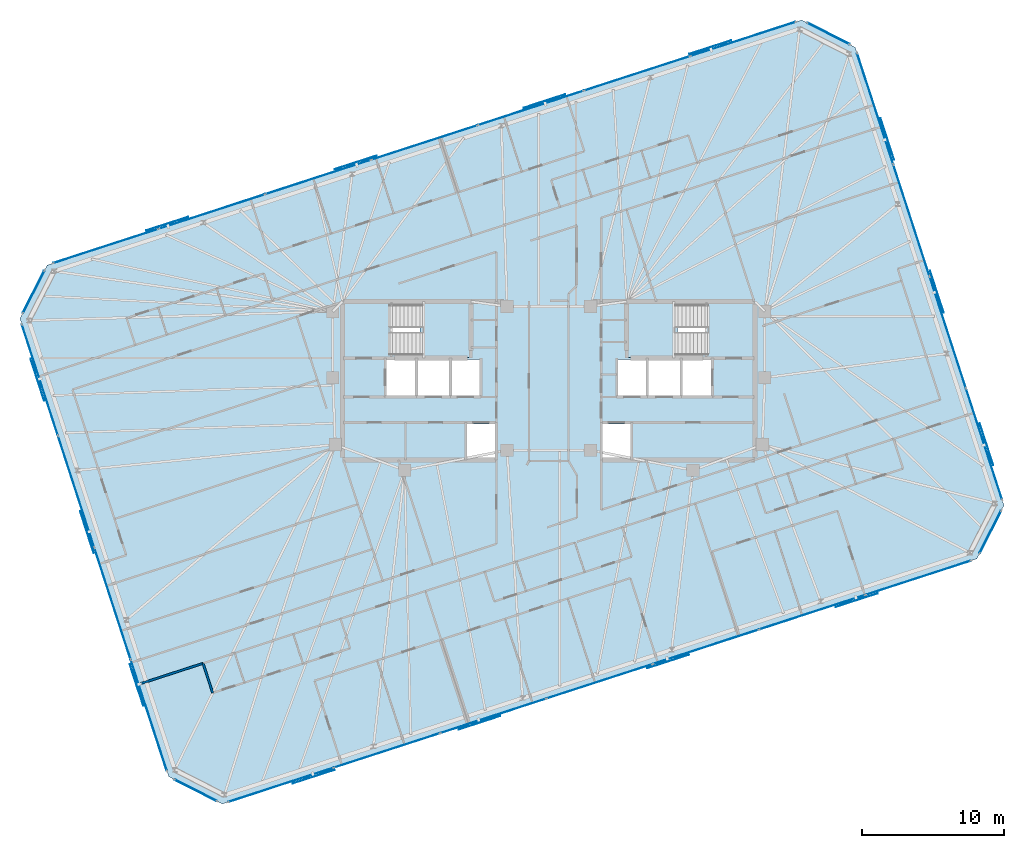
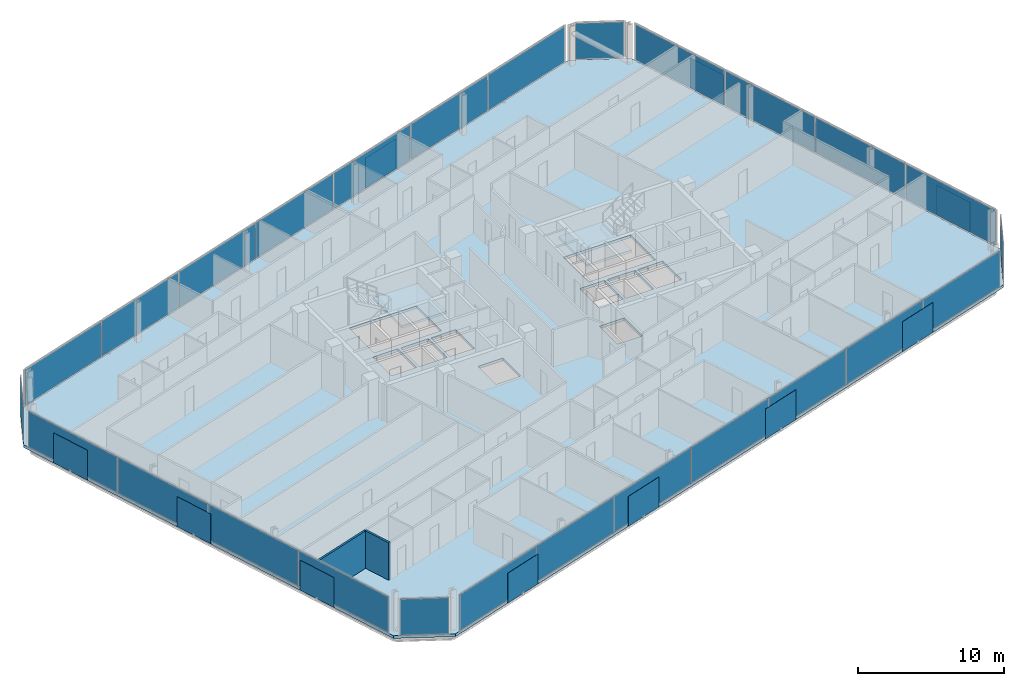
# One storey, part 12 of 20: 40 plates, 3 slabs, 2 walls, 10 elements without a shape of their own.
"""IFC4 building model written with IfcOpenShell, lengths in metres."""

from ifc_helpers import new_model, si_unit, direction, frame, frame_2d, origin, origin_2d, place, context, subcontext, project, spatial, polyline, rectangle, outline, extrude, material, layer, layer_set, type_object, element, aggregate, save


model = new_model("IFC4")

# Units and contexts
model_context = context("Model", 3, precision=1e-05, world=origin(), true_north=direction((0.0, 1.0)))
body_context = subcontext(model_context, "Body", "Model", "MODEL_VIEW")
ifc_project = project(units=[si_unit("LENGTHUNIT", "METRE"), si_unit("AREAUNIT", "SQUARE_METRE"), si_unit("VOLUMEUNIT", "CUBIC_METRE"), si_unit("PLANEANGLEUNIT", "RADIAN"), si_unit("MASSUNIT", "GRAM", prefix="KILO")], contexts=[model_context])

# Site, building, storey
site_placement = place(None, origin())
site = spatial("IfcSite", under=ifc_project, at=site_placement, CompositionType="ELEMENT")
building_placement = place(site_placement, origin())
building = spatial("IfcBuilding", under=site, at=building_placement, Name="Menara Jurai Vektor", CompositionType="ELEMENT")
storey_placement = place(building_placement, frame((0.0, 0.0, 247.75)))
storey = spatial("IfcBuildingStorey", under=building, at=storey_placement, Name="L66", CompositionType="ELEMENT", Elevation=247.75)

# Curtain wall, plates
ifc_material_1 = material(Name="Anodised Pale Aluminium & Low-E Double Glazing", Category="aluminium")
curtain_wall_type = type_object("IfcCurtainWallType", Name="CW-BLK4", PredefinedType="NOTDEFINED", material=ifc_material_1)
curtain_wall_1_placement = place(storey_placement, origin())
curtain_wall_1 = element("IfcCurtainWall", 1, at=curtain_wall_1_placement, inside=storey, type_object=curtain_wall_type, Name="Unitised Curtain Wall L66 F01", PredefinedType="NOTDEFINED")
ifc_material_2 = material(Name="Low-E Solar-Control Double Glazed Unit", Category="glass")
ifc_layer_1 = layer(ifc_material_2, 0.030029296875)
ifc_layer_set_1 = layer_set([ifc_layer_1], Name="Low-E Solar-Control Double Glazed Unit")
plate_type_1 = type_object("IfcPlateType", Name="CW-BLK4-PNL", PredefinedType="CURTAIN_PANEL", material=ifc_layer_set_1)
plate_1_placement = place(storey_placement, frame((-18.916259765625, -28.53076171875, 0.080078125), z_axis=(0.0, 0.0, 1.0), x_axis=(0.951056402641, 0.309017344167, 0.0)))
plate_1 = element("IfcPlate", 2, at=plate_1_placement, type_object=plate_type_1, Name="CW-04 panel 1.1", PredefinedType="CURTAIN_PANEL", context=body_context, shape_type="SweptSolid", body=[
    extrude(rectangle(XDim=7.771484375, YDim=0.030029296875, at=origin_2d()), origin(), (0.0, 0.0, 1.0), 2.965087890625),
])
plate_2_placement = place(storey_placement, frame((-11.429931640625, -26.098388671875, 0.080078125), z_axis=(0.0, 0.0, 1.0), x_axis=(0.951056402641, 0.309017344167, 0.0)))
plate_2 = element("IfcPlate", 3, at=plate_2_placement, type_object=plate_type_1, Name="CW-04 panel 2.1", PredefinedType="CURTAIN_PANEL", context=body_context, shape_type="SweptSolid", body=[
    extrude(rectangle(XDim=7.8115234375, YDim=0.030029296875, at=origin_2d()), origin(), (0.0, 0.0, 1.0), 2.965087890625),
])
plate_3_placement = place(storey_placement, frame((-3.9248046875, -23.65966796875, 0.080078125), z_axis=(0.0, 0.0, 1.0), x_axis=(0.951056402641, 0.309017344167, 0.0)))
plate_3 = element("IfcPlate", 4, at=plate_3_placement, type_object=plate_type_1, Name="CW-04 panel 3.1", PredefinedType="CURTAIN_PANEL", context=body_context, shape_type="SweptSolid", body=[
    extrude(rectangle(XDim=7.8115234375, YDim=0.030029296875, at=origin_2d()), origin(), (0.0, 0.0, 1.0), 2.965087890625),
])
plate_4_placement = place(storey_placement, frame((3.580322265625, -21.22119140625, 0.080078125), z_axis=(0.0, 0.0, 1.0), x_axis=(0.951056402641, 0.309017344167, 0.0)))
plate_4 = element("IfcPlate", 5, at=plate_4_placement, type_object=plate_type_1, Name="CW-04 panel 4.1", PredefinedType="CURTAIN_PANEL", context=body_context, shape_type="SweptSolid", body=[
    extrude(rectangle(XDim=7.8115234375, YDim=0.030029296875, at=origin_2d()), origin(), (0.0, 0.0, 1.0), 2.965087890625),
])
plate_5_placement = place(storey_placement, frame((11.08544921875, -18.782470703125, 0.080078125), z_axis=(0.0, 0.0, 1.0), x_axis=(0.951056402641, 0.309017344167, 0.0)))
plate_5 = element("IfcPlate", 6, at=plate_5_placement, type_object=plate_type_1, Name="CW-04 panel 5.1", PredefinedType="CURTAIN_PANEL", context=body_context, shape_type="SweptSolid", body=[
    extrude(rectangle(XDim=7.8115234375, YDim=0.030029296875, at=origin_2d()), origin(), (0.0, 0.0, 1.0), 2.965087890625),
])
plate_6_placement = place(storey_placement, frame((18.5908203125, -16.343994140625, 0.080078125), z_axis=(0.0, 0.0, 1.0), x_axis=(0.951056402641, 0.309017344167, 0.0)))
plate_6 = element("IfcPlate", 7, at=plate_6_placement, type_object=plate_type_1, Name="CW-04 panel 6.1", PredefinedType="CURTAIN_PANEL", context=body_context, shape_type="SweptSolid", body=[
    extrude(rectangle(XDim=7.8115234375, YDim=0.030029296875, at=origin_2d()), origin(), (0.0, 0.0, 1.0), 2.965087890625),
])
plate_7_placement = place(storey_placement, frame((26.076904296875, -13.91162109375, 0.080078125), z_axis=(0.0, 0.0, 1.0), x_axis=(0.951056402641, 0.309017344167, 0.0)))
plate_7 = element("IfcPlate", 8, at=plate_7_placement, type_object=plate_type_1, Name="CW-04 panel 7.1", PredefinedType="CURTAIN_PANEL", context=body_context, shape_type="SweptSolid", body=[
    extrude(rectangle(XDim=7.771484375, YDim=0.030029296875, at=origin_2d()), origin(), (0.0, 0.0, 1.0), 2.965087890625),
])
aggregate(curtain_wall_1, [plate_1, plate_2, plate_3, plate_4, plate_5, plate_6, plate_7])

curtain_wall_2_placement = place(storey_placement, origin())
curtain_wall_2 = element("IfcCurtainWall", 9, at=curtain_wall_2_placement, inside=storey, type_object=curtain_wall_type, Name="Unitised Curtain Wall L66 F03", PredefinedType="NOTDEFINED")
plate_8_placement = place(storey_placement, frame((30.728515625, -4.456298828125, 0.080078125), z_axis=(0.0, 0.0, 1.0), x_axis=(-0.309016481464, 0.95105668295, 0.0)))
plate_8 = element("IfcPlate", 10, at=plate_8_placement, type_object=plate_type_1, Name="CW-04 panel 1.1", PredefinedType="CURTAIN_PANEL", context=body_context, shape_type="SweptSolid", body=[
    extrude(rectangle(XDim=8.18994140625, YDim=0.030029296875, at=origin_2d()), origin(), (0.0, 0.0, 1.0), 2.965087890625),
])
plate_9_placement = place(storey_placement, frame((28.166748046875, 3.427978515625, 0.080078125), z_axis=(0.0, 0.0, 1.0), x_axis=(-0.309016481464, 0.95105668295, 0.0)))
plate_9 = element("IfcPlate", 11, at=plate_9_placement, type_object=plate_type_1, Name="CW-04 panel 2.1", PredefinedType="CURTAIN_PANEL", context=body_context, shape_type="SweptSolid", body=[
    extrude(rectangle(XDim=8.22998046875, YDim=0.030029296875, at=origin_2d()), origin(), (0.0, 0.0, 1.0), 2.965087890625),
])
plate_10_placement = place(storey_placement, frame((25.598876953125, 11.331298828125, 0.080078125), z_axis=(0.0, 0.0, 1.0), x_axis=(-0.309016481464, 0.95105668295, 0.0)))
plate_10 = element("IfcPlate", 12, at=plate_10_placement, type_object=plate_type_1, Name="CW-04 panel 3.1", PredefinedType="CURTAIN_PANEL", context=body_context, shape_type="SweptSolid", body=[
    extrude(rectangle(XDim=8.22998046875, YDim=0.030029296875, at=origin_2d()), origin(), (0.0, 0.0, 1.0), 2.965087890625),
])
plate_11_placement = place(storey_placement, frame((23.037109375, 19.21533203125, 0.080078125), z_axis=(0.0, 0.0, 1.0), x_axis=(-0.309016481464, 0.95105668295, 0.0)))
plate_11 = element("IfcPlate", 13, at=plate_11_placement, type_object=plate_type_1, Name="CW-04 panel 4.1", PredefinedType="CURTAIN_PANEL", context=body_context, shape_type="SweptSolid", body=[
    extrude(rectangle(XDim=8.18994140625, YDim=0.030029296875, at=origin_2d()), origin(), (0.0, 0.0, 1.0), 2.965087890625),
])
aggregate(curtain_wall_2, [plate_8, plate_9, plate_10, plate_11])

curtain_wall_3_placement = place(storey_placement, origin())
curtain_wall_3 = element("IfcCurtainWall", 14, at=curtain_wall_3_placement, inside=storey, type_object=curtain_wall_type, Name="Unitised Curtain Wall L66 F05", PredefinedType="NOTDEFINED")
plate_12_placement = place(storey_placement, frame((13.716064453125, 24.130615234375, 0.080078125), z_axis=(0.0, 0.0, 1.0), x_axis=(-0.951056402641, -0.309017344167, 0.0)))
plate_12 = element("IfcPlate", 15, at=plate_12_placement, type_object=plate_type_1, Name="CW-04 panel 1.1", PredefinedType="CURTAIN_PANEL", context=body_context, shape_type="SweptSolid", body=[
    extrude(rectangle(XDim=7.771484375, YDim=0.030029296875, at=origin_2d()), origin(), (0.0, 0.0, 1.0), 2.965087890625),
])
plate_13_placement = place(storey_placement, frame((6.22998046875, 21.6982421875, 0.080078125), z_axis=(0.0, 0.0, 1.0), x_axis=(-0.951056402641, -0.309017344167, 0.0)))
plate_13 = element("IfcPlate", 16, at=plate_13_placement, type_object=plate_type_1, Name="CW-04 panel 2.1", PredefinedType="CURTAIN_PANEL", context=body_context, shape_type="SweptSolid", body=[
    extrude(rectangle(XDim=7.8115234375, YDim=0.030029296875, at=origin_2d()), origin(), (0.0, 0.0, 1.0), 2.965087890625),
])
plate_14_placement = place(storey_placement, frame((-1.275146484375, 19.259765625, 0.080078125), z_axis=(0.0, 0.0, 1.0), x_axis=(-0.951056402641, -0.309017344167, 0.0)))
plate_14 = element("IfcPlate", 17, at=plate_14_placement, type_object=plate_type_1, Name="CW-04 panel 3.1", PredefinedType="CURTAIN_PANEL", context=body_context, shape_type="SweptSolid", body=[
    extrude(rectangle(XDim=7.8115234375, YDim=0.030029296875, at=origin_2d()), origin(), (0.0, 0.0, 1.0), 2.965087890625),
])
plate_15_placement = place(storey_placement, frame((-8.7802734375, 16.821044921875, 0.080078125), z_axis=(0.0, 0.0, 1.0), x_axis=(-0.951056402641, -0.309017344167, 0.0)))
plate_15 = element("IfcPlate", 18, at=plate_15_placement, type_object=plate_type_1, Name="CW-04 panel 4.1", PredefinedType="CURTAIN_PANEL", context=body_context, shape_type="SweptSolid", body=[
    extrude(rectangle(XDim=7.8115234375, YDim=0.030029296875, at=origin_2d()), origin(), (0.0, 0.0, 1.0), 2.965087890625),
])
plate_16_placement = place(storey_placement, frame((-16.28564453125, 14.382568359375, 0.080078125), z_axis=(0.0, 0.0, 1.0), x_axis=(-0.951056402641, -0.309017344167, 0.0)))
plate_16 = element("IfcPlate", 19, at=plate_16_placement, type_object=plate_type_1, Name="CW-04 panel 5.1", PredefinedType="CURTAIN_PANEL", context=body_context, shape_type="SweptSolid", body=[
    extrude(rectangle(XDim=7.8115234375, YDim=0.030029296875, at=origin_2d()), origin(), (0.0, 0.0, 1.0), 2.965087890625),
])
plate_17_placement = place(storey_placement, frame((-23.790771484375, 11.944091796875, 0.080078125), z_axis=(0.0, 0.0, 1.0), x_axis=(-0.951056402641, -0.309017344167, 0.0)))
plate_17 = element("IfcPlate", 20, at=plate_17_placement, type_object=plate_type_1, Name="CW-04 panel 6.1", PredefinedType="CURTAIN_PANEL", context=body_context, shape_type="SweptSolid", body=[
    extrude(rectangle(XDim=7.8115234375, YDim=0.030029296875, at=origin_2d()), origin(), (0.0, 0.0, 1.0), 2.965087890625),
])
plate_18_placement = place(storey_placement, frame((-31.27685546875, 9.511474609375, 0.080078125), z_axis=(0.0, 0.0, 1.0), x_axis=(-0.951056402641, -0.309017344167, 0.0)))
plate_18 = element("IfcPlate", 21, at=plate_18_placement, type_object=plate_type_1, Name="CW-04 panel 7.1", PredefinedType="CURTAIN_PANEL", context=body_context, shape_type="SweptSolid", body=[
    extrude(rectangle(XDim=7.771484375, YDim=0.030029296875, at=origin_2d()), origin(), (0.0, 0.0, 1.0), 2.965087890625),
])
aggregate(curtain_wall_3, [plate_12, plate_13, plate_14, plate_15, plate_16, plate_17, plate_18])

curtain_wall_4_placement = place(storey_placement, origin())
curtain_wall_4 = element("IfcCurtainWall", 22, at=curtain_wall_4_placement, inside=storey, type_object=curtain_wall_type, Name="Unitised Curtain Wall L66 F07", PredefinedType="NOTDEFINED")
plate_19_placement = place(storey_placement, frame((-35.928466796875, 0.056396484375, 0.080078125), z_axis=(0.0, 0.0, 1.0), x_axis=(0.309016481464, -0.95105668295, 0.0)))
plate_19 = element("IfcPlate", 23, at=plate_19_placement, type_object=plate_type_1, Name="CW-04 panel 1.1", PredefinedType="CURTAIN_PANEL", context=body_context, shape_type="SweptSolid", body=[
    extrude(rectangle(XDim=8.18994140625, YDim=0.030029296875, at=origin_2d()), origin(), (0.0, 0.0, 1.0), 2.965087890625),
])
plate_20_placement = place(storey_placement, frame((-33.36669921875, -7.827880859375, 0.080078125), z_axis=(0.0, 0.0, 1.0), x_axis=(0.309016481464, -0.95105668295, 0.0)))
plate_20 = element("IfcPlate", 24, at=plate_20_placement, type_object=plate_type_1, Name="CW-04 panel 2.1", PredefinedType="CURTAIN_PANEL", context=body_context, shape_type="SweptSolid", body=[
    extrude(rectangle(XDim=8.22998046875, YDim=0.030029296875, at=origin_2d()), origin(), (0.0, 0.0, 1.0), 2.965087890625),
])
plate_21_placement = place(storey_placement, frame((-30.798828125, -15.731201171875, 0.080078125), z_axis=(0.0, 0.0, 1.0), x_axis=(0.309016481464, -0.95105668295, 0.0)))
plate_21 = element("IfcPlate", 25, at=plate_21_placement, type_object=plate_type_1, Name="CW-04 panel 3.1", PredefinedType="CURTAIN_PANEL", context=body_context, shape_type="SweptSolid", body=[
    extrude(rectangle(XDim=8.22998046875, YDim=0.030029296875, at=origin_2d()), origin(), (0.0, 0.0, 1.0), 2.965087890625),
])
plate_22_placement = place(storey_placement, frame((-28.237060546875, -23.615478515625, 0.080078125), z_axis=(0.0, 0.0, 1.0), x_axis=(0.309016481464, -0.95105668295, 0.0)))
plate_22 = element("IfcPlate", 26, at=plate_22_placement, type_object=plate_type_1, Name="CW-04 panel 4.1", PredefinedType="CURTAIN_PANEL", context=body_context, shape_type="SweptSolid", body=[
    extrude(rectangle(XDim=8.18994140625, YDim=0.030029296875, at=origin_2d()), origin(), (0.0, 0.0, 1.0), 2.965087890625),
])
aggregate(curtain_wall_4, [plate_19, plate_20, plate_21, plate_22])

# Curtain wall, plate
curtain_wall_5_placement = place(storey_placement, origin())
curtain_wall_5 = element("IfcCurtainWall", 27, at=curtain_wall_5_placement, inside=storey, type_object=curtain_wall_type, Name="Unitised Curtain Wall L66 F02", PredefinedType="NOTDEFINED")
ifc_material_3 = material(Name="Insulated Pale Aluminium Spandrel Panel", Category="aluminium")
ifc_layer_2 = layer(ifc_material_3, 0.06005859375)
ifc_layer_set_2 = layer_set([ifc_layer_2], Name="Insulated Pale Aluminium Spandrel Panel")
plate_type_2 = type_object("IfcPlateType", Name="CW-PNL-SP", PredefinedType="CURTAIN_PANEL", material=ifc_layer_set_2)
plate_23_placement = place(storey_placement, frame((31.1728515625, -10.678466796875, 0.080078125), z_axis=(0.0, 0.0, 1.0), x_axis=(0.453988579828, 0.89100750243, 0.0)))
plate_23 = element("IfcPlate", 28, at=plate_23_placement, type_object=plate_type_2, Name="CW-04 panel 1.1", PredefinedType="CURTAIN_PANEL", context=body_context, shape_type="SweptSolid", body=[
    extrude(rectangle(XDim=3.32275390625, YDim=0.06005859375, at=origin_2d()), origin(), (0.0, 0.0, 1.0), 2.965087890625),
])
aggregate(curtain_wall_5, [plate_23])

curtain_wall_6_placement = place(storey_placement, origin())
curtain_wall_6 = element("IfcCurtainWall", 29, at=curtain_wall_6_placement, inside=storey, type_object=curtain_wall_type, Name="Unitised Curtain Wall L66 F04", PredefinedType="NOTDEFINED")
plate_24_placement = place(storey_placement, frame((19.7392578125, 24.510498046875, 0.080078125), z_axis=(0.0, 0.0, 1.0), x_axis=(-0.89100750243, 0.453988579828, 0.0)))
plate_24 = element("IfcPlate", 30, at=plate_24_placement, type_object=plate_type_2, Name="CW-04 panel 1.1", PredefinedType="CURTAIN_PANEL", context=body_context, shape_type="SweptSolid", body=[
    extrude(rectangle(XDim=3.32275390625, YDim=0.06005859375, at=origin_2d()), origin(), (0.0, 0.0, 1.0), 2.965087890625),
])
aggregate(curtain_wall_6, [plate_24])

curtain_wall_7_placement = place(storey_placement, origin())
curtain_wall_7 = element("IfcCurtainWall", 31, at=curtain_wall_7_placement, inside=storey, type_object=curtain_wall_type, Name="Unitised Curtain Wall L66 F06", PredefinedType="NOTDEFINED")
plate_25_placement = place(storey_placement, frame((-36.373046875, 6.278564453125, 0.080078125), z_axis=(0.0, 0.0, 1.0), x_axis=(-0.453988579828, -0.89100750243, 0.0)))
plate_25 = element("IfcPlate", 32, at=plate_25_placement, type_object=plate_type_2, Name="CW-04 panel 1.1", PredefinedType="CURTAIN_PANEL", context=body_context, shape_type="SweptSolid", body=[
    extrude(rectangle(XDim=3.32275390625, YDim=0.06005859375, at=origin_2d()), origin(), (0.0, 0.0, 1.0), 2.965087890625),
])
aggregate(curtain_wall_7, [plate_25])

curtain_wall_8_placement = place(storey_placement, origin())
curtain_wall_8 = element("IfcCurtainWall", 33, at=curtain_wall_8_placement, inside=storey, type_object=curtain_wall_type, Name="Unitised Curtain Wall L66 F08", PredefinedType="NOTDEFINED")
plate_26_placement = place(storey_placement, frame((-24.939453125, -28.91064453125, 0.080078125), z_axis=(0.0, 0.0, 1.0), x_axis=(0.89100750243, -0.453988579828, 0.0)))
plate_26 = element("IfcPlate", 34, at=plate_26_placement, type_object=plate_type_2, Name="CW-04 panel 1.1", PredefinedType="CURTAIN_PANEL", context=body_context, shape_type="SweptSolid", body=[
    extrude(rectangle(XDim=3.32275390625, YDim=0.06005859375, at=origin_2d()), origin(), (0.0, 0.0, 1.0), 2.965087890625),
])
aggregate(curtain_wall_8, [plate_26])

# Plates
ifc_material_4 = material(Name="Anodised Pale Aluminium Perforated Screen", Category="aluminium")
ifc_layer_3 = layer(ifc_material_4, 0.02197265625)
ifc_layer_set_3 = layer_set([ifc_layer_3], Name="Anodised Pale Aluminium Perforated Screen")
plate_type_3 = type_object("IfcPlateType", Name="ENV-PLT-SCREEN-HI", PredefinedType="USERDEFINED", material=ifc_layer_set_3)
for number, where, z_axis, x_axis, name in (
    (35, (-16.608642578125, -27.94921875, -0.050048828125), (0.0, 0.0, 1.0), (0.951056516295, 0.309016994375, 0.0), "Perforated Pale-Metal Solar Screen L66-S01"),
    (36, (-4.8916015625, -24.14208984375, -0.050048828125), (0.0, 0.0, 1.0), (0.951056516295, 0.309016994375, 0.0), "Perforated Pale-Metal Solar Screen L66-S02"),
    (37, (8.423095703125, -19.81591796875, -0.050048828125), (0.0, 0.0, 1.0), (0.951056516295, 0.309016994375, 0.0), "Perforated Pale-Metal Solar Screen L66-S03"),
    (38, (21.73779296875, -15.48974609375, -0.050048828125), (0.0, 0.0, 1.0), (0.951056516295, 0.309016994375, 0.0), "Perforated Pale-Metal Solar Screen L66-S04"),
    (39, (30.90478515625, -4.4814453125, -0.050048828125), (0.0, 0.0, 1.0), (-0.309016994375, 0.951056516295, 0.0), "Perforated Pale-Metal Solar Screen L66-S05"),
    (40, (27.402587890625, 6.297119140625, -0.050048828125), (0.0, 0.0, 1.0), (-0.309016994375, 0.951056516295, 0.0), "Perforated Pale-Metal Solar Screen L66-S06"),
    (41, (23.900390625, 17.075927734375, -0.050048828125), (0.0, 0.0, 1.0), (-0.309016994375, 0.951056516295, 0.0), "Perforated Pale-Metal Solar Screen L66-S07"),
    (42, (11.40869140625, 23.54931640625, -0.050048828125), (0.0, 0.0, 1.0), (-0.951056516295, -0.309016994375, 0.0), "Perforated Pale-Metal Solar Screen L66-S08"),
    (43, (-0.308349609375, 19.7421875, -0.050048828125), (0.0, 0.0, 1.0), (-0.951056516295, -0.309016994375, 0.0), "Perforated Pale-Metal Solar Screen L66-S09"),
    (44, (-13.623046875, 15.416015625, -0.050048828125), (0.0, 0.0, 1.0), (-0.951056516295, -0.309016994375, 0.0), "Perforated Pale-Metal Solar Screen L66-S10"),
    (45, (-26.93798828125, 11.089599609375, -0.050048828125), (0.0, 0.0, 1.0), (-0.951056516295, -0.309016994375, 0.0), "Perforated Pale-Metal Solar Screen L66-S11"),
    (46, (-36.104736328125, 0.081298828125, -0.050048828125), (0.0, 0.0, 1.0), (0.309016994375, -0.951056516295, 0.0), "Perforated Pale-Metal Solar Screen L66-S12"),
    (47, (-32.6025390625, -10.697265625, -0.050048828125), (0.0, 0.0, 1.0), (0.309016994375, -0.951056516295, 0.0), "Perforated Pale-Metal Solar Screen L66-S13"),
    (48, (-29.1005859375, -21.475830078125, -0.050048828125), (0.0, 0.0, 1.0), (0.309016994375, -0.951056516295, 0.0), "Perforated Pale-Metal Solar Screen L66-S14"),
):
    element("IfcPlate", number, at=place(storey_placement, frame(where, z_axis=z_axis, x_axis=x_axis)), inside=storey, type_object=plate_type_3, Name=name, ObjectType="SCREEN", PredefinedType="USERDEFINED", context=body_context, shape_type="SweptSolid", body=[
        extrude(rectangle(XDim=3.10009765625, YDim=0.02197265625, at=origin_2d()), origin(), (0.0, 0.0, 1.0), 2.5),
    ])

# Stair, slab
ifc_material_5 = material(Name="Concrete C40/50", Category="concrete")
stair_type = type_object("IfcStairType", Name="STAIR-DOGLEG-1500", PredefinedType="HALF_TURN_STAIR", material=ifc_material_5)
stair_1_placement = place(storey_placement, origin())
stair_1 = element("IfcStair", 49, at=stair_1_placement, inside=storey, type_object=stair_type, Name="Protected Exit Stair ST1 L66", PredefinedType="HALF_TURN_STAIR")
ifc_layer_4 = layer(ifc_material_5, 0.199951171875)
ifc_layer_set_4 = layer_set([ifc_layer_4], Name="Concrete C40/50")
slab_type_1 = type_object("IfcSlabType", Name="STAIR-LANDING-200", PredefinedType="LANDING", material=ifc_layer_set_4)
slab_1_placement = place(storey_placement, frame((0.0, 0.0, 1.47509765625)))
slab_1 = element("IfcSlab", 50, at=slab_1_placement, type_object=slab_type_1, Name="ST1 landing 1", PredefinedType="LANDING", context=body_context, shape_type="SweptSolid", body=[
    extrude(outline(polyline([(-9.080078125, 1.64990234375), (-5.550048828125, 1.64990234375), (-5.550048828125, 5.550048828125), (-9.080078125, 5.550048828125), (-9.080078125, 1.64990234375)])), origin(), (0.0, 0.0, 1.0), 0.199951171875),
])
aggregate(stair_1, [slab_1])

stair_2_placement = place(storey_placement, origin())
stair_2 = element("IfcStair", 51, at=stair_2_placement, inside=storey, type_object=stair_type, Name="Protected Exit Stair ST2 L66", PredefinedType="HALF_TURN_STAIR")
slab_2_placement = place(storey_placement, frame((0.0, 0.0, 1.47509765625)))
slab_2 = element("IfcSlab", 52, at=slab_2_placement, type_object=slab_type_1, Name="ST2 landing 1", PredefinedType="LANDING", context=body_context, shape_type="SweptSolid", body=[
    extrude(outline(polyline([(5.550048828125, 1.64990234375), (9.080078125, 1.64990234375), (9.080078125, 5.550048828125), (5.550048828125, 5.550048828125), (5.550048828125, 1.64990234375)])), origin(), (0.0, 0.0, 1.0), 0.199951171875),
])
aggregate(stair_2, [slab_2])

# Slab
ifc_layer_5 = layer(ifc_material_5, 0.22509765625)
ifc_layer_set_5 = layer_set([ifc_layer_5], Name="Concrete C40/50")
slab_type_2 = type_object("IfcSlabType", Name="STR-SLAB-TYP200", PredefinedType="FLOOR", material=ifc_layer_set_5)
slab_3_placement = place(storey_placement, frame((0.0, 0.0, -0.22509765625)))
element("IfcSlab", 53, at=slab_3_placement, inside=storey, type_object=slab_type_2, Name="Composite Floor Slab L66", PredefinedType="FLOOR", context=body_context, shape_type="SweptSolid", body=[
    extrude(outline(polyline([(-23.04931640625, -29.87353515625), (30.2099609375, -12.568603515625), (32.135986328125, -8.788330078125), (21.62939453125, 23.547607421875), (17.84912109375, 25.4736328125), (-35.409912109375, 8.168701171875), (-37.3359375, 4.388427734375), (-26.82958984375, -27.947509765625), (-23.04931640625, -29.87353515625)]), holes=[polyline([(-11.10009765625, 1.89990234375), (-11.10009765625, 5.300048828125), (-5.800048828125, 5.300048828125), (-5.800048828125, 1.89990234375), (-11.10009765625, 1.89990234375)]), polyline([(5.800048828125, 1.89990234375), (5.800048828125, 5.300048828125), (11.10009765625, 5.300048828125), (11.10009765625, 1.89990234375), (5.800048828125, 1.89990234375)]), polyline([(-11.449951171875, -1.050048828125), (-11.449951171875, 1.5), (-9.449951171875, 1.5), (-9.449951171875, -1.050048828125), (-11.449951171875, -1.050048828125)]), polyline([(9.449951171875, -1.050048828125), (9.449951171875, 1.5), (11.449951171875, 1.5), (11.449951171875, -1.050048828125), (9.449951171875, -1.050048828125)]), polyline([(-5.760009765625, -5.5), (-5.760009765625, -3.050048828125), (-3.800048828125, -3.050048828125), (-3.800048828125, -5.5), (-5.760009765625, -5.5)]), polyline([(-6.85009765625, -1.050048828125), (-6.85009765625, 1.5), (-4.889892578125, 1.5), (-4.889892578125, -1.050048828125), (-6.85009765625, -1.050048828125)]), polyline([(3.800048828125, -5.5), (3.800048828125, -3.050048828125), (5.760009765625, -3.050048828125), (5.760009765625, -5.5), (3.800048828125, -5.5)]), polyline([(4.889892578125, -1.050048828125), (4.889892578125, 1.5), (6.85009765625, 1.5), (6.85009765625, -1.050048828125), (4.889892578125, -1.050048828125)]), polyline([(-9.25, -1.050048828125), (-9.25, 1.5), (-7.050048828125, 1.5), (-7.050048828125, -1.050048828125), (-9.25, -1.050048828125)]), polyline([(7.050048828125, -1.050048828125), (7.050048828125, 1.5), (9.25, 1.5), (9.25, -1.050048828125), (7.050048828125, -1.050048828125)])]), origin(), (0.0, 0.0, 1.0), 0.22509765625),
])

# Walls
ifc_material_6 = material(Name="Gypsum Fireboard Partition", Category="gypsum")
ifc_layer_6 = layer(ifc_material_6, 0.14990234375)
ifc_layer_set_6 = layer_set([ifc_layer_6], Name="Gypsum Fireboard Partition")
wall_type = type_object("IfcWallType", Name="INT-WALL-CORR-150", PredefinedType="PARTITIONING", material=ifc_layer_set_6)
wall_1_placement = place(storey_placement, frame((-28.949951171875, -21.42138671875, 0.0), z_axis=(0.0, 0.0, 1.0), x_axis=(0.951049476022, 0.309038661268, 0.0)))
element("IfcWall", 54, at=wall_1_placement, inside=storey, type_object=wall_type, Name="Interior Wall IW-150 L66", PredefinedType="PARTITIONING", context=body_context, shape_type="SweptSolid", body=[
    extrude(rectangle(XDim=4.77392578125, YDim=0.14990234375, at=frame_2d((2.386962890625, 0.0))), origin(), (0.0, 0.0, 1.0), 3.125),
])
wall_2_placement = place(storey_placement, frame((-23.729736328125, -22.038330078125, 0.0), z_axis=(0.0, 0.0, 1.0), x_axis=(-0.309060979314, 0.951042223598, 0.0)))
element("IfcWall", 55, at=wall_2_placement, inside=storey, type_object=wall_type, Name="Interior Wall IW-150 L66", PredefinedType="PARTITIONING", context=body_context, shape_type="SweptSolid", body=[
    extrude(rectangle(XDim=2.199951171875, YDim=0.14990234375, at=frame_2d((1.10009765625, 0.0))), origin(), (0.0, 0.0, 1.0), 3.125),
])

save(model, "model.ifc")
